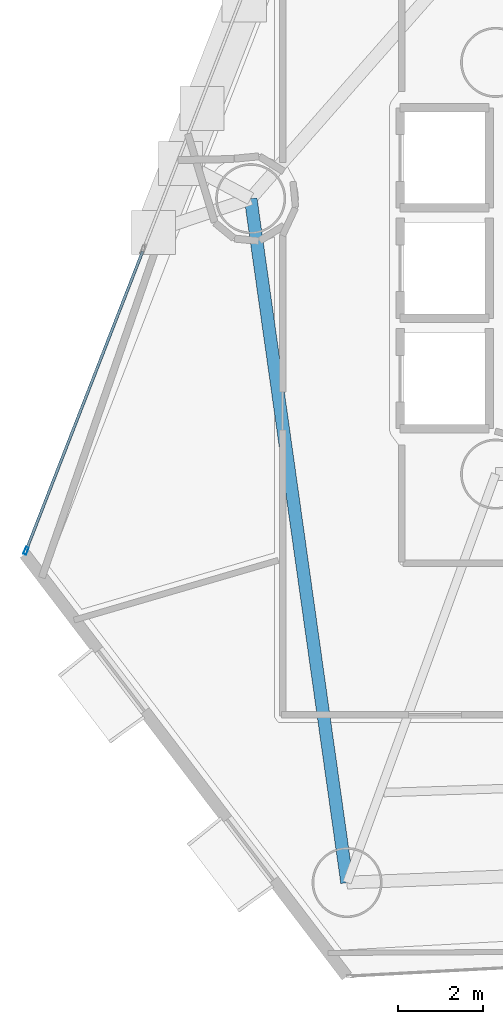
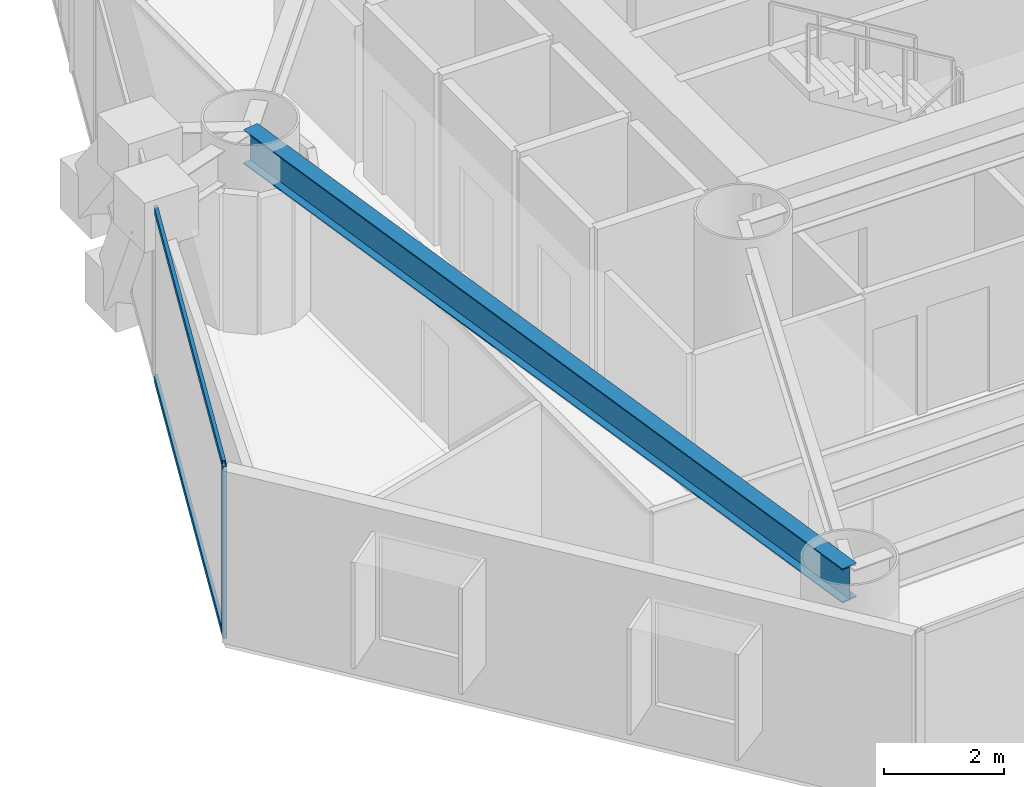
# One storey, part 4 of 23: 3 members, 1 beam, 1 element without a shape of its own.
"""IFC4 building model written with IfcOpenShell, lengths in metres."""

import ifcopenshell
import ifcopenshell.guid

model = None  # the IFC model being written
_history = None  # IfcOwnerHistory: only IFC2X3 demands one
_inside = {}  # id of a spatial element -> (the spatial element, [elements in it])
_under = {}  # id of a project, library or spatial element -> (it, [spatial elements below it])
_declared = {}  # id of a project -> (the project, [libraries it declares])
_typed = {}  # id of a type object -> (the type object, [elements of that type])
_made_of = {}  # id of a material, layer set ... -> (it, [elements and type objects made of it])


def new_model(schema):
    """Start an empty IFC model of exactly this schema.

    Asked for "IFC4X3", IfcOpenShell would pick the latest addendum, in which some entities
    have other attributes; the version numbers below select the first issue.
    IFC2X3 requires an IfcOwnerHistory on every rooted entity: one is made here for all.
    """
    global model, _history
    if schema == "IFC4X3":
        model = ifcopenshell.file(schema_version=(4, 3, 0, 0))
    else:
        model = ifcopenshell.file(schema=schema)
    _inside.clear()
    _under.clear()
    _declared.clear()
    _typed.clear()
    _made_of.clear()
    _history = None
    if model.schema == "IFC2X3":
        org = make("IfcOrganization", Name="unknown")
        user = make(
            "IfcPersonAndOrganization",
            ThePerson=make("IfcPerson", FamilyName="unknown"),
            TheOrganization=org,
        )
        app = make(
            "IfcApplication",
            ApplicationDeveloper=org,
            Version="unknown",
            ApplicationFullName="unknown",
            ApplicationIdentifier="unknown",
        )
        _history = make(
            "IfcOwnerHistory",
            OwningUser=user,
            OwningApplication=app,
            ChangeAction="ADDED",
            CreationDate=0,
        )
    return model


def make(cls, **values):
    """One entity of the class cls with the attributes given. An attribute that is None is left unset."""
    return model.create_entity(
        cls, **{name: value for name, value in values.items() if value is not None}
    )


def rooted(cls, **values):
    """An entity with a GlobalId (a new one), such as an element, a storey or a relation."""
    return make(cls, GlobalId=ifcopenshell.guid.new(), OwnerHistory=_history, **values)


def si_unit(unit_type, name, prefix=None):
    """IfcSIUnit, for example si_unit("LENGTHUNIT", "METRE", prefix="MILLI")."""
    return make("IfcSIUnit", UnitType=unit_type, Prefix=prefix, Name=name)


def assignment(units):
    """IfcUnitAssignment: the units of a project."""
    return None if units is None else make("IfcUnitAssignment", Units=units)


def point(xyz):
    """IfcCartesianPoint."""
    return None if xyz is None else make("IfcCartesianPoint", Coordinates=xyz)


def direction(xyz):
    """IfcDirection."""
    return None if xyz is None else make("IfcDirection", DirectionRatios=xyz)


def frame(location, z_axis=None, x_axis=None):
    """IfcAxis2Placement3D, a coordinate frame: its origin and axes. An axis left out is left unset."""
    return make(
        "IfcAxis2Placement3D",
        Location=point(location),
        Axis=direction(z_axis),
        RefDirection=direction(x_axis),
    )


def frame_2d(location, x_axis=None):
    """IfcAxis2Placement2D, a coordinate frame in the plane: its origin and x axis."""
    return make(
        "IfcAxis2Placement2D", Location=point(location), RefDirection=direction(x_axis)
    )


def origin():
    """The frame at (0, 0, 0) with its axes left unset."""
    return frame((0.0, 0.0, 0.0))


def origin_2d():
    """The frame at (0, 0) in the plane with its x axis left unset."""
    return frame_2d((0.0, 0.0))


def place(relative_to, where):
    """IfcLocalPlacement: puts the frame where relative to a parent placement (None: the world)."""
    return make(
        "IfcLocalPlacement", PlacementRelTo=relative_to, RelativePlacement=where
    )


def context(
    kind, dimensions, precision=None, world=None, true_north=None, identifier=None
):
    """IfcGeometricRepresentationContext, for example the 3D "Model" context."""
    return make(
        "IfcGeometricRepresentationContext",
        ContextIdentifier=identifier,
        ContextType=kind,
        CoordinateSpaceDimension=dimensions,
        Precision=precision,
        WorldCoordinateSystem=world,
        TrueNorth=true_north,
    )


def subcontext(parent, identifier, kind, view, scale=None):
    """IfcGeometricRepresentationSubContext, for example "Body" below "Model"."""
    return make(
        "IfcGeometricRepresentationSubContext",
        ContextIdentifier=identifier,
        ContextType=kind,
        ParentContext=parent,
        TargetScale=scale,
        TargetView=view,
    )


def project(units=None, contexts=None):
    """IfcProject with its units and contexts."""
    return rooted(
        "IfcProject",
        Name="project",
        RepresentationContexts=contexts,
        UnitsInContext=assignment(units),
    )


def spatial(cls, under=None, at=None, **own):
    """A site, building, storey or space (cls), placed at a placement, below another one or the project."""
    s = rooted(cls, ObjectPlacement=at, **own)
    if under is not None:
        _under.setdefault(under.id(), (under, []))[1].append(s)
    return s


def profile(cls, at=None, kind="AREA", **sizes):
    """A parametric profile (cls). Its sizes go by their IFC names, for example OverallWidth=200.0."""
    return make(cls, ProfileType=kind, Position=at, **sizes)


def hollow_rectangle(**sizes):
    """IfcRectangleHollowProfileDef."""
    return profile("IfcRectangleHollowProfileDef", **sizes)


def i_section(**sizes):
    """IfcIShapeProfileDef."""
    return profile("IfcIShapeProfileDef", **sizes)


def extrude(swept, where, along, depth):
    """IfcExtrudedAreaSolid: the profile swept, set in the frame where, extruded along a direction by depth."""
    return make(
        "IfcExtrudedAreaSolid",
        SweptArea=swept,
        Position=where,
        ExtrudedDirection=direction(along),
        Depth=depth,
    )


def shape(context_of_items, identifier, shape_type, items):
    """IfcShapeRepresentation: the items that make up one representation, for example the "Body"."""
    return make(
        "IfcShapeRepresentation",
        ContextOfItems=context_of_items,
        RepresentationIdentifier=identifier,
        RepresentationType=shape_type,
        Items=items,
    )


def material(Name=None, Category=None):
    """IfcMaterial."""
    return make("IfcMaterial", Name=Name, Category=Category)


def layer(
    of_material, thickness, ventilated=None, Name=None, Category=None, Priority=None
):
    """IfcMaterialLayer: one layer of a wall or slab, of a material (None: an air gap)."""
    return make(
        "IfcMaterialLayer",
        Material=of_material,
        LayerThickness=thickness,
        IsVentilated=ventilated,
        Name=Name,
        Category=Category,
        Priority=Priority,
    )


def layer_set(layers, Name=None):
    """IfcMaterialLayerSet."""
    return make("IfcMaterialLayerSet", MaterialLayers=layers, LayerSetName=Name)


def material_profile(
    of_material, cross_section, Name=None, Category=None, Priority=None
):
    """IfcMaterialProfile: a cross section and its material."""
    return make(
        "IfcMaterialProfile",
        Name=Name,
        Material=of_material,
        Profile=cross_section,
        Priority=Priority,
        Category=Category,
    )


def profile_set(profiles, Name=None, composite=None):
    """IfcMaterialProfileSet."""
    return make(
        "IfcMaterialProfileSet",
        Name=Name,
        MaterialProfiles=profiles,
        CompositeProfile=composite,
    )


def made_of(thing, what):
    """Note that an element or type object is made of a material, layer set ...; save() writes the relation."""
    if what is not None:
        _made_of.setdefault(what.id(), (what, []))[1].append(thing)
    return thing


def type_object(cls, material=None, **own):
    """A type object (cls), such as IfcWallType, which elements share."""
    return made_of(rooted(cls, **own), material)


def element(
    cls,
    number,
    at=None,
    inside=None,
    cuts=None,
    type_object=None,
    material=None,
    context=None,
    identifier="Body",
    shape_type=None,
    held_by="IfcProductDefinitionShape",
    body=None,
    shapes=None,
    **own,
):
    """One element of the class cls, such as IfcWall. Its Tag is "e" and its number.

    at: its placement. inside: the storey or other place that contains it. cuts: it is an
    opening in that element (IfcRelVoidsElement). A single representation is given by context,
    identifier, shape_type and body (its items); several are given by shapes. held_by: the class
    of the entity that holds the representations. save() writes the other relations.
    """
    e = rooted(cls, Tag="e%d" % number, ObjectPlacement=at, **own)
    if body is not None:
        shapes = [shape(context, identifier, shape_type, body)]
    if shapes is not None:
        e.Representation = make(held_by, Representations=shapes)
    if inside is not None:
        _inside.setdefault(inside.id(), (inside, []))[1].append(e)
    if cuts is not None:
        rooted(
            "IfcRelVoidsElement", RelatingBuildingElement=cuts, RelatedOpeningElement=e
        )
    if type_object is not None:
        _typed.setdefault(type_object.id(), (type_object, []))[1].append(e)
    return made_of(e, material)


def aggregate(whole, parts):
    """IfcRelAggregates: a whole, such as a stair, and the parts it consists of."""
    return rooted("IfcRelAggregates", RelatingObject=whole, RelatedObjects=parts)


def save(model, path):
    """Write the relations noted so far, then the file.

    IfcRelAggregates (storeys below a building ...), IfcRelContainedInSpatialStructure (elements
    in a storey), IfcRelDefinesByType, IfcRelAssociatesMaterial and IfcRelDeclares: one each for
    every whole, place, type object, material and project.
    """
    for whole, parts in _under.values():
        aggregate(whole, parts)
    for where, things in _inside.values():
        rooted(
            "IfcRelContainedInSpatialStructure",
            RelatedElements=things,
            RelatingStructure=where,
        )
    for kind, things in _typed.values():
        rooted("IfcRelDefinesByType", RelatedObjects=things, RelatingType=kind)
    for what, things in _made_of.values():
        rooted("IfcRelAssociatesMaterial", RelatedObjects=things, RelatingMaterial=what)
    for by, libraries in _declared.values():
        rooted("IfcRelDeclares", RelatingContext=by, RelatedDefinitions=libraries)
    model.write(path)


model = new_model("IFC4")

# Units and contexts
model_context = context("Model", 3, precision=1e-05, world=origin(), true_north=direction((0.0, 1.0)))
body_context = subcontext(model_context, "Body", "Model", "MODEL_VIEW")
ifc_project = project(units=[si_unit("LENGTHUNIT", "METRE"), si_unit("AREAUNIT", "SQUARE_METRE"), si_unit("VOLUMEUNIT", "CUBIC_METRE"), si_unit("PLANEANGLEUNIT", "RADIAN"), si_unit("MASSUNIT", "GRAM", prefix="KILO")], contexts=[model_context])

# Site, building, storey
site_placement = place(None, origin())
site = spatial("IfcSite", under=ifc_project, at=site_placement, CompositionType="ELEMENT")
building_placement = place(site_placement, origin())
building = spatial("IfcBuilding", under=site, at=building_placement, Name="Qianvela Tower", CompositionType="ELEMENT")
storey_placement = place(building_placement, frame((0.0, 0.0, 56.199951171875)))
storey = spatial("IfcBuildingStorey", under=building, at=storey_placement, Name="L13", CompositionType="ELEMENT", Elevation=56.199951171875)

# Beam
ifc_material_1 = material(Name="Steel Q355B", Category="steel")
ifc_material_profile_1 = material_profile(ifc_material_1, i_section(OverallWidth=0.300048828125, OverallDepth=0.699951171875, WebThickness=0.012939453125, FlangeThickness=0.02392578125, at=origin_2d()), Name="HN700x300x13x24")
ifc_profile_set_1 = profile_set([ifc_material_profile_1], Name="Steel Q355B")
beam_type = type_object("IfcBeamType", Name="BM-HN700-SPAND", PredefinedType="SPANDREL", material=ifc_profile_set_1)
beam_placement = place(storey_placement, frame((22.8291015625, 30.340087890625, 3.16796875), z_axis=(0.139545592864, -0.990215646974, 0.0), x_axis=(0.990215646974, 0.139545592864, 0.0)))
element("IfcBeam", 1, at=beam_placement, inside=storey, type_object=beam_type, Name="L13 Perimeter Ring Spandrel Girder 4", PredefinedType="SPANDREL", context=body_context, shape_type="SweptSolid", body=[
    extrude(i_section(OverallWidth=0.300048828125, OverallDepth=0.699951171875, WebThickness=0.012939453125, FlangeThickness=0.02392578125, at=origin_2d()), origin(), (0.0, 0.0, 1.0), 16.274169921875),
])

# Curtain wall, members
ifc_material_2 = material(Name="Anodised Architectural Aluminium and Low-E Glass", Category="aluminium")
ifc_layer = layer(ifc_material_2, 0.179931640625)
ifc_layer_set = layer_set([ifc_layer], Name="Anodised Architectural Aluminium and Low-E Glass")
curtain_wall_type = type_object("IfcCurtainWallType", Name="CW-COLIV-Z12", PredefinedType="USERDEFINED", material=ifc_layer_set)
curtain_wall_placement = place(storey_placement, origin())
curtain_wall = element("IfcCurtainWall", 2, at=curtain_wall_placement, inside=storey, type_object=curtain_wall_type, Name="L13 CW-COLIV-Z12 Curtain Wall 04C", ObjectType="CURTAIN_WALL_SYSTEM", PredefinedType="USERDEFINED")
ifc_material_3 = material(Name="Anodised Architectural Aluminium 6063-T6", Category="aluminium")
ifc_material_profile_2 = material_profile(ifc_material_3, hollow_rectangle(XDim=0.070068359375, YDim=0.179931640625, WallThickness=0.0048828125, at=origin_2d()), Name="ALU-MULL-70x180")
ifc_profile_set_2 = profile_set([ifc_material_profile_2], Name="Anodised Architectural Aluminium 6063-T6")
member_type_1 = type_object("IfcMemberType", Name="CW-COLIV-Z12-MULL", PredefinedType="MULLION", material=ifc_profile_set_2)
member_1_placement = place(storey_placement, frame((17.53564453125, 22.043212890625, 0.0), z_axis=(0.0, 0.0, 1.0), x_axis=(0.931818480765, -0.362924673871, 0.0)))
member_1 = element("IfcMember", 3, at=member_1_placement, type_object=member_type_1, Name="CW-3 mullion 2", PredefinedType="MULLION", context=body_context, shape_type="SweptSolid", body=[
    extrude(hollow_rectangle(XDim=0.070068359375, YDim=0.179931640625, WallThickness=0.0048828125, at=origin_2d()), origin(), (0.0, 0.0, 1.0), 3.52001953125),
])
ifc_material_4 = material(Name="Anodised Architectural Aluminium 6063-T6", Category="aluminium")
ifc_material_profile_3 = material_profile(ifc_material_4, hollow_rectangle(XDim=0.06494140625, YDim=0.1298828125, WallThickness=0.00439453125, at=origin_2d()), Name="ALU-TRAN-65x130")
ifc_profile_set_3 = profile_set([ifc_material_profile_3], Name="Anodised Architectural Aluminium 6063-T6")
member_type_2 = type_object("IfcMemberType", Name="CW-COLIV-Z12-TRAN", PredefinedType="USERDEFINED", material=ifc_profile_set_3)
member_2_placement = place(storey_placement, frame((20.283203125, 29.097412109375, 0.032470703125), z_axis=(-0.362929325374, -0.931816669084, 0.0), x_axis=(0.931816669084, -0.362929325374, 0.0)))
member_2 = element("IfcMember", 4, at=member_2_placement, type_object=member_type_2, Name="CW-3 transom 1.1", ObjectType="TRANSOM", PredefinedType="USERDEFINED", context=body_context, shape_type="SweptSolid", body=[
    extrude(hollow_rectangle(XDim=0.06494140625, YDim=0.1298828125, WallThickness=0.00439453125, at=origin_2d()), origin(), (0.0, 0.0, 1.0), 7.53564453125),
])
member_3_placement = place(storey_placement, frame((20.283203125, 29.097412109375, 3.487548828125), z_axis=(-0.362929325374, -0.931816669084, 0.0), x_axis=(0.931816669084, -0.362929325374, 0.0)))
member_3 = element("IfcMember", 5, at=member_3_placement, type_object=member_type_2, Name="CW-3 transom 1.2", ObjectType="TRANSOM", PredefinedType="USERDEFINED", context=body_context, shape_type="SweptSolid", body=[
    extrude(hollow_rectangle(XDim=0.06494140625, YDim=0.1298828125, WallThickness=0.00439453125, at=origin_2d()), origin(), (0.0, 0.0, 1.0), 7.53564453125),
])
aggregate(curtain_wall, [member_1, member_2, member_3])

save(model, "model.ifc")
